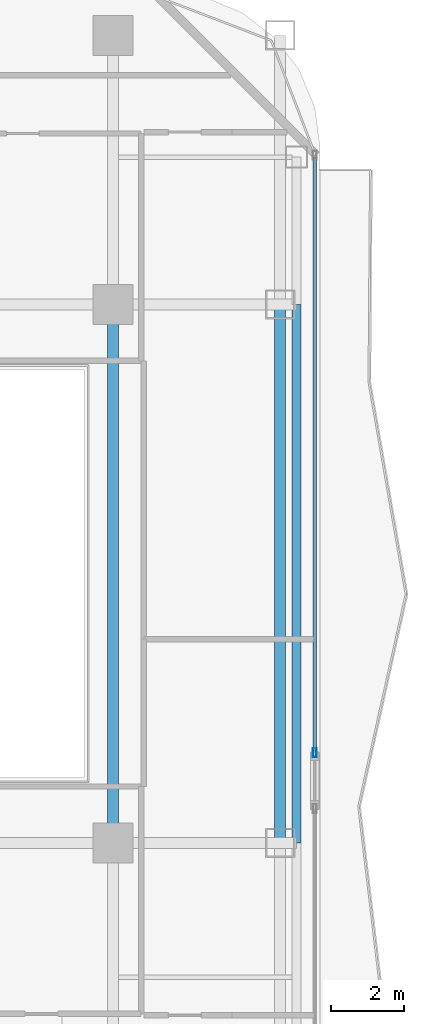
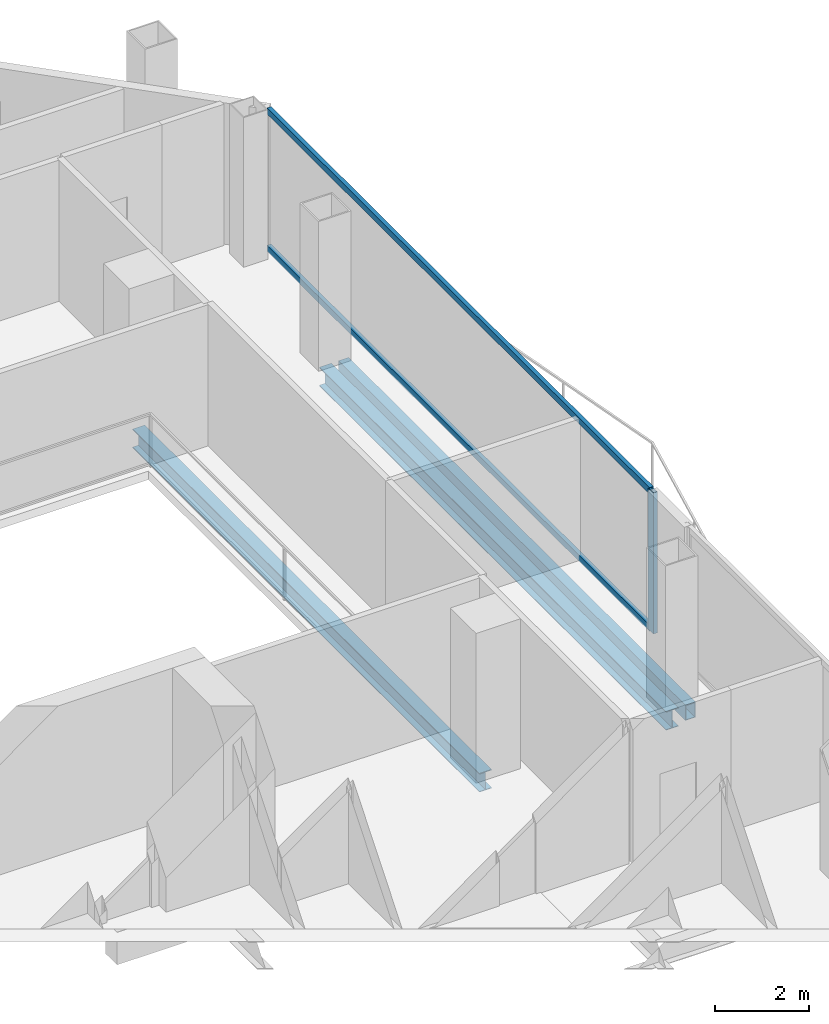
# One storey, part 9 of 23: 3 beams, 3 members, 1 element without a shape of its own.
"""IFC4 building model written with IfcOpenShell, lengths in metres."""

from ifc_helpers import new_model, si_unit, direction, frame, origin, origin_2d, place, context, subcontext, project, spatial, hollow_rectangle, i_section, extrude, material, layer, layer_set, material_profile, profile_set, type_object, element, aggregate, save


model = new_model("IFC4")

# Units and contexts
model_context = context("Model", 3, precision=1e-05, world=origin(), true_north=direction((0.0, 1.0)))
body_context = subcontext(model_context, "Body", "Model", "MODEL_VIEW")
ifc_project = project(units=[si_unit("LENGTHUNIT", "METRE"), si_unit("AREAUNIT", "SQUARE_METRE"), si_unit("VOLUMEUNIT", "CUBIC_METRE"), si_unit("PLANEANGLEUNIT", "RADIAN"), si_unit("MASSUNIT", "GRAM", prefix="KILO")], contexts=[model_context])

# Site, building, storey
site_placement = place(None, origin())
site = spatial("IfcSite", under=ifc_project, at=site_placement, CompositionType="ELEMENT")
building_placement = place(site_placement, origin())
building = spatial("IfcBuilding", under=site, at=building_placement, Name="Khorvyn Point Tower", CompositionType="ELEMENT")
storey_placement = place(building_placement, frame((0.0, 0.0, 199.199951171875)))
storey = spatial("IfcBuildingStorey", under=building, at=storey_placement, Name="L49", CompositionType="ELEMENT", Elevation=199.199951171875)

# Curtain wall, members
ifc_material_1 = material(Name="Anodised aluminium 6063-T6 and laminated Low-E glass", Category="aluminium")
ifc_layer = layer(ifc_material_1, 0.18994140625)
ifc_layer_set = layer_set([ifc_layer], Name="Stick-Built Acoustic Curtain Wall CW-SYS-03")
curtain_wall_type = type_object("IfcCurtainWallType", Name="Stick-Built Acoustic Curtain Wall CW-SYS-03", PredefinedType="NOTDEFINED", material=ifc_layer_set)
curtain_wall_placement = place(storey_placement, origin())
curtain_wall = element("IfcCurtainWall", 1, at=curtain_wall_placement, inside=storey, type_object=curtain_wall_type, Name="Curtain Wall", PredefinedType="NOTDEFINED")
ifc_material_2 = material(Name="Anodised aluminium 6063-T6", Category="aluminium")
ifc_material_profile_1 = material_profile(ifc_material_2, hollow_rectangle(XDim=0.10009765625, YDim=0.239990234375, WallThickness=0.0048828125, at=origin_2d()))
ifc_profile_set_1 = profile_set([ifc_material_profile_1], Name="Anodised aluminium 6063-T6 ALU-MUL-100x240")
member_type_1 = type_object("IfcMemberType", Name="Anodised Aluminium 6063-T6 Mullion ALU-MUL-100x240", PredefinedType="MULLION", material=ifc_profile_set_1)
member_1_placement = place(storey_placement, frame((20.35009765625, -4.919921875, 0.0), z_axis=(0.0, 0.0, 1.0), x_axis=(1.0, 0.0, 0.0)))
member_1 = element("IfcMember", 2, at=member_1_placement, type_object=member_type_1, Name="Transom", PredefinedType="MULLION", context=body_context, shape_type="SweptSolid", body=[
    extrude(hollow_rectangle(XDim=0.10009765625, YDim=0.239990234375, WallThickness=0.0048828125, at=origin_2d()), origin(), (0.0, 0.0, 1.0), 3.679931640625),
])
ifc_material_profile_2 = material_profile(ifc_material_2, hollow_rectangle(XDim=0.10009765625, YDim=0.159912109375, WallThickness=0.00439453125, at=origin_2d()))
ifc_profile_set_2 = profile_set([ifc_material_profile_2], Name="Anodised aluminium 6063-T6 ALU-TRN-100x160")
member_type_2 = type_object("IfcMemberType", Name="Anodised Aluminium 6063-T6 Transom ALU-TRN-100x160", PredefinedType="USERDEFINED", material=ifc_profile_set_2)
member_2_placement = place(storey_placement, frame((20.35009765625, 11.449951171875, 0.050048828125), z_axis=(0.0, -1.0, 0.0), x_axis=(1.0, 0.0, 0.0)))
member_2 = element("IfcMember", 3, at=member_2_placement, type_object=member_type_2, Name="Transom", ObjectType="TRANSOM", PredefinedType="USERDEFINED", context=body_context, shape_type="SweptSolid", body=[
    extrude(hollow_rectangle(XDim=0.10009765625, YDim=0.159912109375, WallThickness=0.00439453125, at=origin_2d()), origin(), (0.0, 0.0, 1.0), 16.320068359375),
])
member_3_placement = place(storey_placement, frame((20.35009765625, 11.449951171875, 3.630126953125), z_axis=(0.0, -1.0, 0.0), x_axis=(1.0, 0.0, 0.0)))
member_3 = element("IfcMember", 4, at=member_3_placement, type_object=member_type_2, Name="Transom", ObjectType="TRANSOM", PredefinedType="USERDEFINED", context=body_context, shape_type="SweptSolid", body=[
    extrude(hollow_rectangle(XDim=0.10009765625, YDim=0.159912109375, WallThickness=0.00439453125, at=origin_2d()), origin(), (0.0, 0.0, 1.0), 16.320068359375),
])
aggregate(curtain_wall, [member_1, member_2, member_3])

# Beams
ifc_material_3 = material(Name="Steel S355", Category="steel")
ifc_material_profile_3 = material_profile(ifc_material_3, i_section(OverallWidth=0.300048828125, OverallDepth=0.488037109375, WebThickness=0.010986328125, FlangeThickness=0.01806640625, at=origin_2d()))
ifc_profile_set_3 = profile_set([ifc_material_profile_3], Name="Steel S355 H488x300x11x18")
beam_type_1 = type_object("IfcBeamType", Name="Steel S355 Spandrel H488x300x11x18", PredefinedType="SPANDREL", material=ifc_profile_set_3)
for number, where, z_axis, x_axis, name in (
    (5, (14.800048828125, -7.39990234375, -0.4638671875), (0.0, 1.0, 0.0), (-1.0, 0.0, 0.0), "Beam"),
    (6, (19.39990234375, -7.39990234375, -0.4638671875), (0.0, 1.0, 0.0), (-1.0, 0.0, 0.0), "Beam"),
):
    element("IfcBeam", number, at=place(storey_placement, frame(where, z_axis=z_axis, x_axis=x_axis)), inside=storey, type_object=beam_type_1, Name=name, PredefinedType="SPANDREL", context=body_context, shape_type="SweptSolid", body=[
        extrude(i_section(OverallWidth=0.300048828125, OverallDepth=0.488037109375, WebThickness=0.010986328125, FlangeThickness=0.01806640625, at=origin_2d()), origin(), (0.0, 0.0, 1.0), 14.7998046875),
    ])
ifc_material_profile_4 = material_profile(ifc_material_3, hollow_rectangle(XDim=0.25, YDim=0.39990234375, WallThickness=0.01611328125, at=origin_2d()))
ifc_profile_set_4 = profile_set([ifc_material_profile_4], Name="Steel S355 RHS400x250x16")
beam_type_2 = type_object("IfcBeamType", Name="Steel S355 Spandrel RHS400x250x16", PredefinedType="SPANDREL", material=ifc_profile_set_4)
beam_placement = place(storey_placement, frame((19.85009765625, -7.39990234375, -0.419921875), z_axis=(0.0, 1.0, 0.0), x_axis=(-1.0, 0.0, 0.0)))
element("IfcBeam", 7, at=beam_placement, inside=storey, type_object=beam_type_2, Name="Beam", PredefinedType="SPANDREL", context=body_context, shape_type="SweptSolid", body=[
    extrude(hollow_rectangle(XDim=0.25, YDim=0.39990234375, WallThickness=0.01611328125, at=origin_2d()), origin(), (0.0, 0.0, 1.0), 14.7998046875),
])

save(model, "model.ifc")
